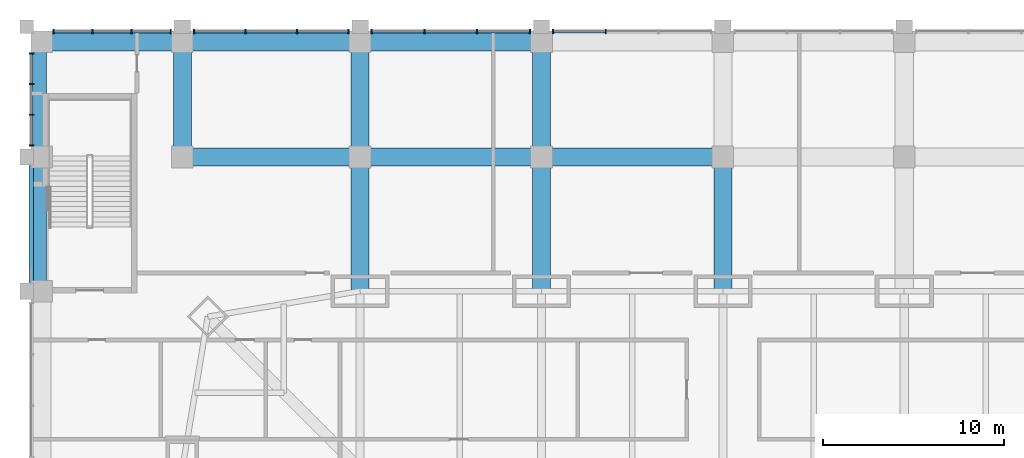
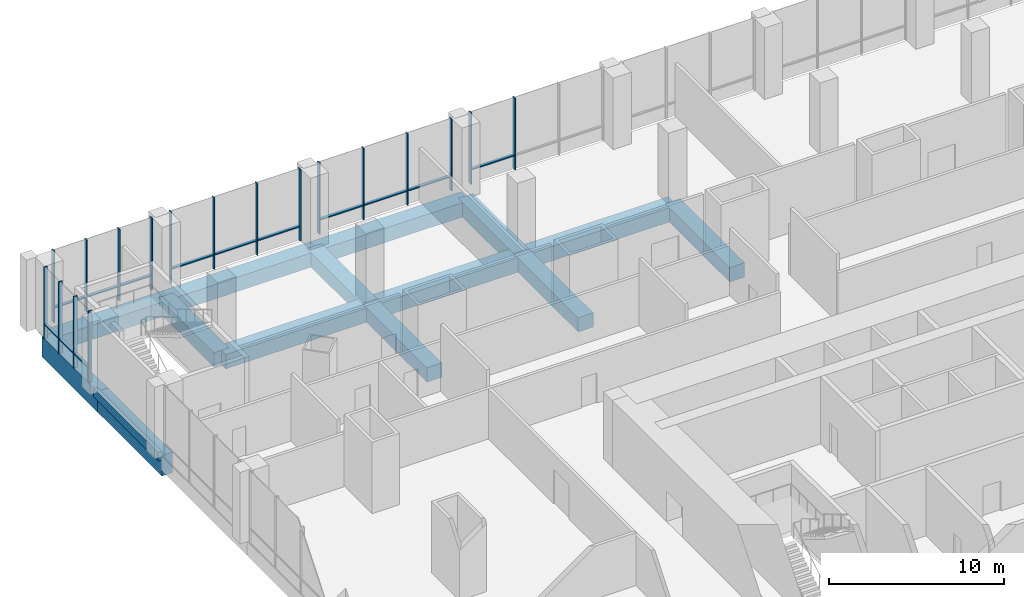
# One storey, part 10 of 24: 31 members, 15 beams, 5 elements without a shape of their own.
"""IFC4 building model written with IfcOpenShell, lengths in metres."""

from ifc_helpers import new_model, si_unit, direction, frame, origin, origin_2d, place, context, subcontext, project, spatial, rectangle, extrude, material, material_profile, profile_set, type_object, element, aggregate, save


model = new_model("IFC4")

# Units and contexts
model_context = context("Model", 3, precision=1e-05, world=origin(), true_north=direction((0.0, 1.0)))
body_context = subcontext(model_context, "Body", "Model", "MODEL_VIEW")
ifc_project = project(units=[si_unit("LENGTHUNIT", "METRE"), si_unit("AREAUNIT", "SQUARE_METRE"), si_unit("VOLUMEUNIT", "CUBIC_METRE"), si_unit("PLANEANGLEUNIT", "RADIAN"), si_unit("MASSUNIT", "GRAM", prefix="KILO")], contexts=[model_context])

# Site, building, storey
site_placement = place(None, origin())
site = spatial("IfcSite", under=ifc_project, at=site_placement, CompositionType="ELEMENT")
building_placement = place(site_placement, origin())
building = spatial("IfcBuilding", under=site, at=building_placement, Name="Khuree Lantern Residences", CompositionType="ELEMENT")
storey_placement = place(building_placement, frame((0.0, 0.0, 6.0)))
storey = spatial("IfcBuildingStorey", under=building, at=storey_placement, Name="L01", CompositionType="ELEMENT", Elevation=6.0)

# Curtain wall, members
ifc_material_1 = material(Name="Bronze anodised aluminium", Category="aluminium")
curtain_wall_type = type_object("IfcCurtainWallType", Name="CW-P PODIUM STOREFRONT CURTAIN WALL", PredefinedType="USERDEFINED", material=ifc_material_1)
curtain_wall_1_placement = place(storey_placement, origin())
curtain_wall_1 = element("IfcCurtainWall", 1, at=curtain_wall_1_placement, inside=storey, type_object=curtain_wall_type, Name="L01 NORTH FACE BAY 5 STOREFRONT", ObjectType="Storefront curtain wall", PredefinedType="USERDEFINED")
ifc_material_profile_1 = material_profile(ifc_material_1, rectangle(XDim=0.074951171875, YDim=0.25, at=origin_2d()), Name="M5 75X250")
ifc_profile_set_1 = profile_set([ifc_material_profile_1], Name="Bronze anodised aluminium")
member_type_1 = type_object("IfcMemberType", Name="MULLION M5 STOREFRONT 75X250", PredefinedType="MULLION", material=ifc_profile_set_1)
member_1_placement = place(storey_placement, frame((-6.4541015625, 44.125, 0.0), z_axis=(0.0, 0.0, 1.0), x_axis=(-1.0, 0.0, 0.0)))
member_1 = element("IfcMember", 2, at=member_1_placement, type_object=member_type_1, Name="L01 NORTH FACE BAY 5 MULLION 3", PredefinedType="MULLION", context=body_context, shape_type="SweptSolid", body=[
    extrude(rectangle(XDim=0.074951171875, YDim=0.25, at=origin_2d()), origin(), (0.0, 0.0, 1.0), 5.0),
])
member_2_placement = place(storey_placement, frame((-9.362548828125, 44.125, 0.0), z_axis=(0.0, 0.0, 1.0), x_axis=(-1.0, 0.0, 0.0)))
member_2 = element("IfcMember", 3, at=member_2_placement, type_object=member_type_1, Name="L01 NORTH FACE BAY 5 MULLION 4", PredefinedType="MULLION", context=body_context, shape_type="SweptSolid", body=[
    extrude(rectangle(XDim=0.074951171875, YDim=0.25, at=origin_2d()), origin(), (0.0, 0.0, 1.0), 5.0),
])

curtain_wall_2_placement = place(storey_placement, origin())
curtain_wall_2 = element("IfcCurtainWall", 4, at=curtain_wall_2_placement, inside=storey, type_object=curtain_wall_type, Name="L01 NORTH FACE BAY 6 STOREFRONT", ObjectType="Storefront curtain wall", PredefinedType="USERDEFINED")
member_3_placement = place(storey_placement, frame((-10.637451171875, 44.125, 0.0), z_axis=(0.0, 0.0, 1.0), x_axis=(-1.0, 0.0, 0.0)))
member_3 = element("IfcMember", 5, at=member_3_placement, type_object=member_type_1, Name="L01 NORTH FACE BAY 6 MULLION 1", PredefinedType="MULLION", context=body_context, shape_type="SweptSolid", body=[
    extrude(rectangle(XDim=0.074951171875, YDim=0.25, at=origin_2d()), origin(), (0.0, 0.0, 1.0), 5.0),
])
member_4_placement = place(storey_placement, frame((-13.5458984375, 44.125, 0.0), z_axis=(0.0, 0.0, 1.0), x_axis=(-1.0, 0.0, 0.0)))
member_4 = element("IfcMember", 6, at=member_4_placement, type_object=member_type_1, Name="L01 NORTH FACE BAY 6 MULLION 2", PredefinedType="MULLION", context=body_context, shape_type="SweptSolid", body=[
    extrude(rectangle(XDim=0.074951171875, YDim=0.25, at=origin_2d()), origin(), (0.0, 0.0, 1.0), 5.0),
])
member_5_placement = place(storey_placement, frame((-16.4541015625, 44.125, 0.0), z_axis=(0.0, 0.0, 1.0), x_axis=(-1.0, 0.0, 0.0)))
member_5 = element("IfcMember", 7, at=member_5_placement, type_object=member_type_1, Name="L01 NORTH FACE BAY 6 MULLION 3", PredefinedType="MULLION", context=body_context, shape_type="SweptSolid", body=[
    extrude(rectangle(XDim=0.074951171875, YDim=0.25, at=origin_2d()), origin(), (0.0, 0.0, 1.0), 5.0),
])
member_6_placement = place(storey_placement, frame((-19.362548828125, 44.125, 0.0), z_axis=(0.0, 0.0, 1.0), x_axis=(-1.0, 0.0, 0.0)))
member_6 = element("IfcMember", 8, at=member_6_placement, type_object=member_type_1, Name="L01 NORTH FACE BAY 6 MULLION 4", PredefinedType="MULLION", context=body_context, shape_type="SweptSolid", body=[
    extrude(rectangle(XDim=0.074951171875, YDim=0.25, at=origin_2d()), origin(), (0.0, 0.0, 1.0), 5.0),
])

curtain_wall_3_placement = place(storey_placement, origin())
curtain_wall_3 = element("IfcCurtainWall", 9, at=curtain_wall_3_placement, inside=storey, type_object=curtain_wall_type, Name="L01 NORTH FACE BAY 7 STOREFRONT", ObjectType="Storefront curtain wall", PredefinedType="USERDEFINED")
member_7_placement = place(storey_placement, frame((-20.637451171875, 44.125, 0.0), z_axis=(0.0, 0.0, 1.0), x_axis=(-1.0, 0.0, 0.0)))
member_7 = element("IfcMember", 10, at=member_7_placement, type_object=member_type_1, Name="L01 NORTH FACE BAY 7 MULLION 1", PredefinedType="MULLION", context=body_context, shape_type="SweptSolid", body=[
    extrude(rectangle(XDim=0.074951171875, YDim=0.25, at=origin_2d()), origin(), (0.0, 0.0, 1.0), 5.0),
])
member_8_placement = place(storey_placement, frame((-23.479248046875, 44.125, 0.0), z_axis=(0.0, 0.0, 1.0), x_axis=(-1.0, 0.0, 0.0)))
member_8 = element("IfcMember", 11, at=member_8_placement, type_object=member_type_1, Name="L01 NORTH FACE BAY 7 MULLION 2", PredefinedType="MULLION", context=body_context, shape_type="SweptSolid", body=[
    extrude(rectangle(XDim=0.074951171875, YDim=0.25, at=origin_2d()), origin(), (0.0, 0.0, 1.0), 5.0),
])
member_9_placement = place(storey_placement, frame((-26.32080078125, 44.125, 0.0), z_axis=(0.0, 0.0, 1.0), x_axis=(-1.0, 0.0, 0.0)))
member_9 = element("IfcMember", 12, at=member_9_placement, type_object=member_type_1, Name="L01 NORTH FACE BAY 7 MULLION 3", PredefinedType="MULLION", context=body_context, shape_type="SweptSolid", body=[
    extrude(rectangle(XDim=0.074951171875, YDim=0.25, at=origin_2d()), origin(), (0.0, 0.0, 1.0), 5.0),
])
member_10_placement = place(storey_placement, frame((-29.16259765625, 44.125, 0.0), z_axis=(0.0, 0.0, 1.0), x_axis=(-1.0, 0.0, 0.0)))
member_10 = element("IfcMember", 13, at=member_10_placement, type_object=member_type_1, Name="L01 NORTH FACE BAY 7 MULLION 4", PredefinedType="MULLION", context=body_context, shape_type="SweptSolid", body=[
    extrude(rectangle(XDim=0.074951171875, YDim=0.25, at=origin_2d()), origin(), (0.0, 0.0, 1.0), 5.0),
])

curtain_wall_4_placement = place(storey_placement, origin())
curtain_wall_4 = element("IfcCurtainWall", 14, at=curtain_wall_4_placement, inside=storey, type_object=curtain_wall_type, Name="L01 NORTH FACE BAY 8 STOREFRONT", ObjectType="Storefront curtain wall", PredefinedType="USERDEFINED")
member_11_placement = place(storey_placement, frame((-30.4375, 44.125, 0.0), z_axis=(0.0, 0.0, 1.0), x_axis=(-1.0, 0.0, 0.0)))
member_11 = element("IfcMember", 15, at=member_11_placement, type_object=member_type_1, Name="L01 NORTH FACE BAY 8 MULLION 1", PredefinedType="MULLION", context=body_context, shape_type="SweptSolid", body=[
    extrude(rectangle(XDim=0.074951171875, YDim=0.25, at=origin_2d()), origin(), (0.0, 0.0, 1.0), 5.0),
])
member_12_placement = place(storey_placement, frame((-32.595947265625, 44.125, 0.0), z_axis=(0.0, 0.0, 1.0), x_axis=(-1.0, 0.0, 0.0)))
member_12 = element("IfcMember", 16, at=member_12_placement, type_object=member_type_1, Name="L01 NORTH FACE BAY 8 MULLION 2", PredefinedType="MULLION", context=body_context, shape_type="SweptSolid", body=[
    extrude(rectangle(XDim=0.074951171875, YDim=0.25, at=origin_2d()), origin(), (0.0, 0.0, 1.0), 5.0),
])
member_13_placement = place(storey_placement, frame((-34.754150390625, 44.125, 0.0), z_axis=(0.0, 0.0, 1.0), x_axis=(-1.0, 0.0, 0.0)))
member_13 = element("IfcMember", 17, at=member_13_placement, type_object=member_type_1, Name="L01 NORTH FACE BAY 8 MULLION 3", PredefinedType="MULLION", context=body_context, shape_type="SweptSolid", body=[
    extrude(rectangle(XDim=0.074951171875, YDim=0.25, at=origin_2d()), origin(), (0.0, 0.0, 1.0), 5.0),
])
member_14_placement = place(storey_placement, frame((-36.91259765625, 44.125, 0.0), z_axis=(0.0, 0.0, 1.0), x_axis=(-1.0, 0.0, 0.0)))
member_14 = element("IfcMember", 18, at=member_14_placement, type_object=member_type_1, Name="L01 NORTH FACE BAY 8 MULLION 4", PredefinedType="MULLION", context=body_context, shape_type="SweptSolid", body=[
    extrude(rectangle(XDim=0.074951171875, YDim=0.25, at=origin_2d()), origin(), (0.0, 0.0, 1.0), 5.0),
])

curtain_wall_5_placement = place(storey_placement, origin())
curtain_wall_5 = element("IfcCurtainWall", 19, at=curtain_wall_5_placement, inside=storey, type_object=curtain_wall_type, Name="L01 WEST FACE BAY 1 STOREFRONT", ObjectType="Storefront curtain wall", PredefinedType="USERDEFINED")
member_15_placement = place(storey_placement, frame((-38.125, 42.91259765625, 0.0), z_axis=(0.0, 0.0, 1.0), x_axis=(0.0, -1.0, 0.0)))
member_15 = element("IfcMember", 20, at=member_15_placement, type_object=member_type_1, Name="L01 WEST FACE BAY 1 MULLION 1", PredefinedType="MULLION", context=body_context, shape_type="SweptSolid", body=[
    extrude(rectangle(XDim=0.074951171875, YDim=0.25, at=origin_2d()), origin(), (0.0, 0.0, 1.0), 5.0),
])
member_16_placement = place(storey_placement, frame((-38.125, 41.220947265625, 0.0), z_axis=(0.0, 0.0, 1.0), x_axis=(0.0, -1.0, 0.0)))
member_16 = element("IfcMember", 21, at=member_16_placement, type_object=member_type_1, Name="L01 WEST FACE BAY 1 MULLION 2", PredefinedType="MULLION", context=body_context, shape_type="SweptSolid", body=[
    extrude(rectangle(XDim=0.074951171875, YDim=0.25, at=origin_2d()), origin(), (0.0, 0.0, 1.0), 5.0),
])
member_17_placement = place(storey_placement, frame((-38.125, 39.529052734375, 0.0), z_axis=(0.0, 0.0, 1.0), x_axis=(0.0, -1.0, 0.0)))
member_17 = element("IfcMember", 22, at=member_17_placement, type_object=member_type_1, Name="L01 WEST FACE BAY 1 MULLION 3", PredefinedType="MULLION", context=body_context, shape_type="SweptSolid", body=[
    extrude(rectangle(XDim=0.074951171875, YDim=0.25, at=origin_2d()), origin(), (0.0, 0.0, 1.0), 5.0),
])
member_18_placement = place(storey_placement, frame((-38.125, 37.83740234375, 0.0), z_axis=(0.0, 0.0, 1.0), x_axis=(0.0, -1.0, 0.0)))
member_18 = element("IfcMember", 23, at=member_18_placement, type_object=member_type_1, Name="L01 WEST FACE BAY 1 MULLION 4", PredefinedType="MULLION", context=body_context, shape_type="SweptSolid", body=[
    extrude(rectangle(XDim=0.074951171875, YDim=0.25, at=origin_2d()), origin(), (0.0, 0.0, 1.0), 5.0),
])

# Beams
ifc_material_2 = material(Name="Concrete C40/50", Category="concrete")
ifc_material_profile_2 = material_profile(ifc_material_2, rectangle(XDim=0.25, YDim=0.60009765625, at=origin_2d()), Name="RC 250X600")
ifc_profile_set_2 = profile_set([ifc_material_profile_2], Name="Concrete C40/50")
beam_type_1 = type_object("IfcBeamType", Name="PODIUM EDGE BEAM EB1 RC 250X600", PredefinedType="BEAM", material=ifc_profile_set_2)
beam_1_placement = place(storey_placement, frame((-38.125, 37.199951171875, -0.300048828125), z_axis=(0.0, -1.0, 0.0), x_axis=(1.0, 0.0, 0.0)))
element("IfcBeam", 24, at=beam_1_placement, inside=storey, type_object=beam_type_1, Name="PODIUM EDGE BEAM W1", PredefinedType="BEAM", context=body_context, shape_type="SweptSolid", body=[
    extrude(rectangle(XDim=0.25, YDim=0.60009765625, at=origin_2d()), origin(), (0.0, 0.0, 1.0), 7.39990234375),
])
ifc_material_profile_3 = material_profile(ifc_material_2, rectangle(XDim=1.0, YDim=1.0, at=origin_2d()), Name="RC 1000X1000")
ifc_profile_set_3 = profile_set([ifc_material_profile_3], Name="Concrete C40/50")
beam_type_2 = type_object("IfcBeamType", Name="RB3 PODIUM BEAM RC 1000X1000", PredefinedType="BEAM", material=ifc_profile_set_3)
beam_2_placement = place(storey_placement, frame((-29.800048828125, 37.199951171875, -0.800048828125), z_axis=(1.0, 0.0, 0.0), x_axis=(0.0, 1.0, 0.0)))
element("IfcBeam", 25, at=beam_2_placement, inside=storey, type_object=beam_type_2, Name="Podium beam RB-11", PredefinedType="BEAM", context=body_context, shape_type="SweptSolid", body=[
    extrude(rectangle(XDim=1.0, YDim=1.0, at=origin_2d()), origin(), (0.0, 0.0, 1.0), 9.800048828125),
])
for number, where, z_axis, x_axis, name in (
    (26, (-20.0, 37.199951171875, -0.800048828125), (1.0, 0.0, 0.0), (0.0, 1.0, 0.0), "Podium beam RB-12"),
    (27, (-10.0, 37.199951171875, -0.800048828125), (1.0, 0.0, 0.0), (0.0, 1.0, 0.0), "Podium beam RB-13"),
):
    element("IfcBeam", number, at=place(storey_placement, frame(where, z_axis=z_axis, x_axis=x_axis)), inside=storey, type_object=beam_type_2, Name=name, PredefinedType="BEAM", context=body_context, shape_type="SweptSolid", body=[
        extrude(rectangle(XDim=1.0, YDim=1.0, at=origin_2d()), origin(), (0.0, 0.0, 1.0), 10.0),
    ])
beam_3_placement = place(storey_placement, frame((-37.550048828125, 43.550048828125, -0.800048828125), z_axis=(1.0, 0.0, 0.0), x_axis=(0.0, 1.0, 0.0)))
element("IfcBeam", 28, at=beam_3_placement, inside=storey, type_object=beam_type_2, Name="Podium beam RB-17", PredefinedType="BEAM", context=body_context, shape_type="SweptSolid", body=[
    extrude(rectangle(XDim=1.0, YDim=1.0, at=origin_2d()), origin(), (0.0, 0.0, 1.0), 7.75),
])
beam_4_placement = place(storey_placement, frame((-29.800048828125, 43.550048828125, -0.800048828125), z_axis=(1.0, 0.0, 0.0), x_axis=(0.0, 1.0, 0.0)))
element("IfcBeam", 29, at=beam_4_placement, inside=storey, type_object=beam_type_2, Name="Podium beam RB-18", PredefinedType="BEAM", context=body_context, shape_type="SweptSolid", body=[
    extrude(rectangle(XDim=1.0, YDim=1.0, at=origin_2d()), origin(), (0.0, 0.0, 1.0), 9.800048828125),
])
beam_5_placement = place(storey_placement, frame((-20.0, 43.550048828125, -0.800048828125), z_axis=(1.0, 0.0, 0.0), x_axis=(0.0, 1.0, 0.0)))
element("IfcBeam", 30, at=beam_5_placement, inside=storey, type_object=beam_type_2, Name="Podium beam RB-19", PredefinedType="BEAM", context=body_context, shape_type="SweptSolid", body=[
    extrude(rectangle(XDim=1.0, YDim=1.0, at=origin_2d()), origin(), (0.0, 0.0, 1.0), 10.0),
])
beam_6_placement = place(storey_placement, frame((-29.800048828125, 37.199951171875, -0.800048828125), z_axis=(0.0, 1.0, 0.0), x_axis=(-1.0, 0.0, 0.0)))
element("IfcBeam", 31, at=beam_6_placement, inside=storey, type_object=beam_type_2, Name="Podium beam RB-33", PredefinedType="BEAM", context=body_context, shape_type="SweptSolid", body=[
    extrude(rectangle(XDim=1.0, YDim=1.0, at=origin_2d()), origin(), (0.0, 0.0, 1.0), 6.35009765625),
])
beam_7_placement = place(storey_placement, frame((-20.0, 29.800048828125, -0.800048828125), z_axis=(0.0, 1.0, 0.0), x_axis=(-1.0, 0.0, 0.0)))
element("IfcBeam", 32, at=beam_7_placement, inside=storey, type_object=beam_type_2, Name="Podium beam RB-34", PredefinedType="BEAM", context=body_context, shape_type="SweptSolid", body=[
    extrude(rectangle(XDim=1.0, YDim=1.0, at=origin_2d()), origin(), (0.0, 0.0, 1.0), 7.39990234375),
])
beam_8_placement = place(storey_placement, frame((-20.0, 37.199951171875, -0.800048828125), z_axis=(0.0, 1.0, 0.0), x_axis=(-1.0, 0.0, 0.0)))
element("IfcBeam", 33, at=beam_8_placement, inside=storey, type_object=beam_type_2, Name="Podium beam RB-35", PredefinedType="BEAM", context=body_context, shape_type="SweptSolid", body=[
    extrude(rectangle(XDim=1.0, YDim=1.0, at=origin_2d()), origin(), (0.0, 0.0, 1.0), 6.35009765625),
])
beam_9_placement = place(storey_placement, frame((-10.0, 29.800048828125, -0.800048828125), z_axis=(0.0, 1.0, 0.0), x_axis=(-1.0, 0.0, 0.0)))
element("IfcBeam", 34, at=beam_9_placement, inside=storey, type_object=beam_type_2, Name="Podium beam RB-36", PredefinedType="BEAM", context=body_context, shape_type="SweptSolid", body=[
    extrude(rectangle(XDim=1.0, YDim=1.0, at=origin_2d()), origin(), (0.0, 0.0, 1.0), 7.39990234375),
])
beam_10_placement = place(storey_placement, frame((-10.0, 37.199951171875, -0.800048828125), z_axis=(0.0, 1.0, 0.0), x_axis=(-1.0, 0.0, 0.0)))
element("IfcBeam", 35, at=beam_10_placement, inside=storey, type_object=beam_type_2, Name="Podium beam RB-37", PredefinedType="BEAM", context=body_context, shape_type="SweptSolid", body=[
    extrude(rectangle(XDim=1.0, YDim=1.0, at=origin_2d()), origin(), (0.0, 0.0, 1.0), 6.35009765625),
])
beam_11_placement = place(storey_placement, frame((0.0, 29.800048828125, -0.800048828125), z_axis=(0.0, 1.0, 0.0), x_axis=(-1.0, 0.0, 0.0)))
element("IfcBeam", 36, at=beam_11_placement, inside=storey, type_object=beam_type_2, Name="Podium beam RB-38", PredefinedType="BEAM", context=body_context, shape_type="SweptSolid", body=[
    extrude(rectangle(XDim=1.0, YDim=1.0, at=origin_2d()), origin(), (0.0, 0.0, 1.0), 7.39990234375),
])
ifc_material_profile_4 = material_profile(ifc_material_2, rectangle(XDim=0.699951171875, YDim=1.429931640625, at=origin_2d()), Name="RC 700X1430")
ifc_profile_set_4 = profile_set([ifc_material_profile_4], Name="Concrete C40/50")
beam_type_3 = type_object("IfcBeamType", Name="RB7 PODIUM BEAM AT STAIR RC 700X1430", PredefinedType="BEAM", material=ifc_profile_set_4)
beam_12_placement = place(storey_placement, frame((-37.64990234375, 29.800048828125, -1.014892578125), z_axis=(0.0, 1.0, 0.0), x_axis=(-1.0, 0.0, 0.0)))
element("IfcBeam", 37, at=beam_12_placement, inside=storey, type_object=beam_type_3, Name="Podium beam at stair RB-31", PredefinedType="BEAM", context=body_context, shape_type="SweptSolid", body=[
    extrude(rectangle(XDim=0.699951171875, YDim=1.429931640625, at=origin_2d()), origin(), (0.0, 0.0, 1.0), 7.39990234375),
])
beam_13_placement = place(storey_placement, frame((-37.64990234375, 37.199951171875, -1.014892578125), z_axis=(0.0, 1.0, 0.0), x_axis=(-1.0, 0.0, 0.0)))
element("IfcBeam", 38, at=beam_13_placement, inside=storey, type_object=beam_type_3, Name="Podium beam at stair RB-32", PredefinedType="BEAM", context=body_context, shape_type="SweptSolid", body=[
    extrude(rectangle(XDim=0.699951171875, YDim=1.429931640625, at=origin_2d()), origin(), (0.0, 0.0, 1.0), 6.35009765625),
])

# Member
ifc_material_profile_5 = material_profile(ifc_material_1, rectangle(XDim=0.199951171875, YDim=0.074951171875, at=origin_2d()), Name="T5 200X75")
ifc_profile_set_5 = profile_set([ifc_material_profile_5], Name="Bronze anodised aluminium")
member_type_2 = type_object("IfcMemberType", Name="TRANSOM T5 STOREFRONT 200X75", PredefinedType="USERDEFINED", material=ifc_profile_set_5)
member_19_placement = place(storey_placement, frame((-6.49169921875, 44.1201171875, 1.0), z_axis=(-1.0, 0.0, 0.0), x_axis=(0.0, -1.0, 0.0)))
member_19 = element("IfcMember", 39, at=member_19_placement, type_object=member_type_2, Name="L01 NORTH FACE BAY 5 TRANSOM 3", ObjectType="Transom", PredefinedType="USERDEFINED", context=body_context, shape_type="SweptSolid", body=[
    extrude(rectangle(XDim=0.199951171875, YDim=0.074951171875, at=origin_2d()), origin(), (0.0, 0.0, 1.0), 2.833251953125),
])

aggregate(curtain_wall_1, [member_1, member_2, member_19])

member_20_placement = place(storey_placement, frame((-10.675048828125, 44.1201171875, 1.0), z_axis=(-1.0, 0.0, 0.0), x_axis=(0.0, -1.0, 0.0)))
member_20 = element("IfcMember", 40, at=member_20_placement, type_object=member_type_2, Name="L01 NORTH FACE BAY 6 TRANSOM 1", ObjectType="Transom", PredefinedType="USERDEFINED", context=body_context, shape_type="SweptSolid", body=[
    extrude(rectangle(XDim=0.199951171875, YDim=0.074951171875, at=origin_2d()), origin(), (0.0, 0.0, 1.0), 2.833251953125),
])

member_21_placement = place(storey_placement, frame((-13.583251953125, 44.1201171875, 1.0), z_axis=(-1.0, 0.0, 0.0), x_axis=(0.0, -1.0, 0.0)))
member_21 = element("IfcMember", 41, at=member_21_placement, type_object=member_type_2, Name="L01 NORTH FACE BAY 6 TRANSOM 2", ObjectType="Transom", PredefinedType="USERDEFINED", context=body_context, shape_type="SweptSolid", body=[
    extrude(rectangle(XDim=0.199951171875, YDim=0.074951171875, at=origin_2d()), origin(), (0.0, 0.0, 1.0), 2.83349609375),
])

member_22_placement = place(storey_placement, frame((-16.49169921875, 44.1201171875, 1.0), z_axis=(-1.0, 0.0, 0.0), x_axis=(0.0, -1.0, 0.0)))
member_22 = element("IfcMember", 42, at=member_22_placement, type_object=member_type_2, Name="L01 NORTH FACE BAY 6 TRANSOM 3", ObjectType="Transom", PredefinedType="USERDEFINED", context=body_context, shape_type="SweptSolid", body=[
    extrude(rectangle(XDim=0.199951171875, YDim=0.074951171875, at=origin_2d()), origin(), (0.0, 0.0, 1.0), 2.833251953125),
])

aggregate(curtain_wall_2, [member_3, member_4, member_5, member_6, member_20, member_21, member_22])

member_23_placement = place(storey_placement, frame((-20.675048828125, 44.1201171875, 1.0), z_axis=(-1.0, 0.0, 0.0), x_axis=(0.0, -1.0, 0.0)))
member_23 = element("IfcMember", 43, at=member_23_placement, type_object=member_type_2, Name="L01 NORTH FACE BAY 7 TRANSOM 1", ObjectType="Transom", PredefinedType="USERDEFINED", context=body_context, shape_type="SweptSolid", body=[
    extrude(rectangle(XDim=0.199951171875, YDim=0.074951171875, at=origin_2d()), origin(), (0.0, 0.0, 1.0), 2.7666015625),
])

member_24_placement = place(storey_placement, frame((-23.5166015625, 44.1201171875, 1.0), z_axis=(-1.0, 0.0, 0.0), x_axis=(0.0, -1.0, 0.0)))
member_24 = element("IfcMember", 44, at=member_24_placement, type_object=member_type_2, Name="L01 NORTH FACE BAY 7 TRANSOM 2", ObjectType="Transom", PredefinedType="USERDEFINED", context=body_context, shape_type="SweptSolid", body=[
    extrude(rectangle(XDim=0.199951171875, YDim=0.074951171875, at=origin_2d()), origin(), (0.0, 0.0, 1.0), 2.766845703125),
])

member_25_placement = place(storey_placement, frame((-26.3583984375, 44.1201171875, 1.0), z_axis=(-1.0, 0.0, 0.0), x_axis=(0.0, -1.0, 0.0)))
member_25 = element("IfcMember", 45, at=member_25_placement, type_object=member_type_2, Name="L01 NORTH FACE BAY 7 TRANSOM 3", ObjectType="Transom", PredefinedType="USERDEFINED", context=body_context, shape_type="SweptSolid", body=[
    extrude(rectangle(XDim=0.199951171875, YDim=0.074951171875, at=origin_2d()), origin(), (0.0, 0.0, 1.0), 2.7666015625),
])

aggregate(curtain_wall_3, [member_7, member_8, member_9, member_10, member_23, member_24, member_25])

member_26_placement = place(storey_placement, frame((-30.47509765625, 44.1201171875, 1.0), z_axis=(-1.0, 0.0, 0.0), x_axis=(0.0, -1.0, 0.0)))
member_26 = element("IfcMember", 46, at=member_26_placement, type_object=member_type_2, Name="L01 NORTH FACE BAY 8 TRANSOM 1", ObjectType="Transom", PredefinedType="USERDEFINED", context=body_context, shape_type="SweptSolid", body=[
    extrude(rectangle(XDim=0.199951171875, YDim=0.074951171875, at=origin_2d()), origin(), (0.0, 0.0, 1.0), 2.083251953125),
])

member_27_placement = place(storey_placement, frame((-32.63330078125, 44.1201171875, 1.0), z_axis=(-1.0, 0.0, 0.0), x_axis=(0.0, -1.0, 0.0)))
member_27 = element("IfcMember", 47, at=member_27_placement, type_object=member_type_2, Name="L01 NORTH FACE BAY 8 TRANSOM 2", ObjectType="Transom", PredefinedType="USERDEFINED", context=body_context, shape_type="SweptSolid", body=[
    extrude(rectangle(XDim=0.199951171875, YDim=0.074951171875, at=origin_2d()), origin(), (0.0, 0.0, 1.0), 2.083251953125),
])

member_28_placement = place(storey_placement, frame((-34.791748046875, 44.1201171875, 1.0), z_axis=(-1.0, 0.0, 0.0), x_axis=(0.0, -1.0, 0.0)))
member_28 = element("IfcMember", 48, at=member_28_placement, type_object=member_type_2, Name="L01 NORTH FACE BAY 8 TRANSOM 3", ObjectType="Transom", PredefinedType="USERDEFINED", context=body_context, shape_type="SweptSolid", body=[
    extrude(rectangle(XDim=0.199951171875, YDim=0.074951171875, at=origin_2d()), origin(), (0.0, 0.0, 1.0), 2.083251953125),
])

aggregate(curtain_wall_4, [member_11, member_12, member_13, member_14, member_26, member_27, member_28])

member_29_placement = place(storey_placement, frame((-38.1201171875, 42.875, 1.0), z_axis=(0.0, -1.0, 0.0), x_axis=(1.0, 0.0, 0.0)))
member_29 = element("IfcMember", 49, at=member_29_placement, type_object=member_type_2, Name="L01 WEST FACE BAY 1 TRANSOM 1", ObjectType="Transom", PredefinedType="USERDEFINED", context=body_context, shape_type="SweptSolid", body=[
    extrude(rectangle(XDim=0.199951171875, YDim=0.074951171875, at=origin_2d()), origin(), (0.0, 0.0, 1.0), 1.61669921875),
])

member_30_placement = place(storey_placement, frame((-38.1201171875, 41.183349609375, 1.0), z_axis=(0.0, -1.0, 0.0), x_axis=(1.0, 0.0, 0.0)))
member_30 = element("IfcMember", 50, at=member_30_placement, type_object=member_type_2, Name="L01 WEST FACE BAY 1 TRANSOM 2", ObjectType="Transom", PredefinedType="USERDEFINED", context=body_context, shape_type="SweptSolid", body=[
    extrude(rectangle(XDim=0.199951171875, YDim=0.074951171875, at=origin_2d()), origin(), (0.0, 0.0, 1.0), 1.61669921875),
])

member_31_placement = place(storey_placement, frame((-38.1201171875, 39.49169921875, 1.0), z_axis=(0.0, -1.0, 0.0), x_axis=(1.0, 0.0, 0.0)))
member_31 = element("IfcMember", 51, at=member_31_placement, type_object=member_type_2, Name="L01 WEST FACE BAY 1 TRANSOM 3", ObjectType="Transom", PredefinedType="USERDEFINED", context=body_context, shape_type="SweptSolid", body=[
    extrude(rectangle(XDim=0.199951171875, YDim=0.074951171875, at=origin_2d()), origin(), (0.0, 0.0, 1.0), 1.61669921875),
])

aggregate(curtain_wall_5, [member_15, member_16, member_17, member_18, member_29, member_30, member_31])

save(model, "model.ifc")
